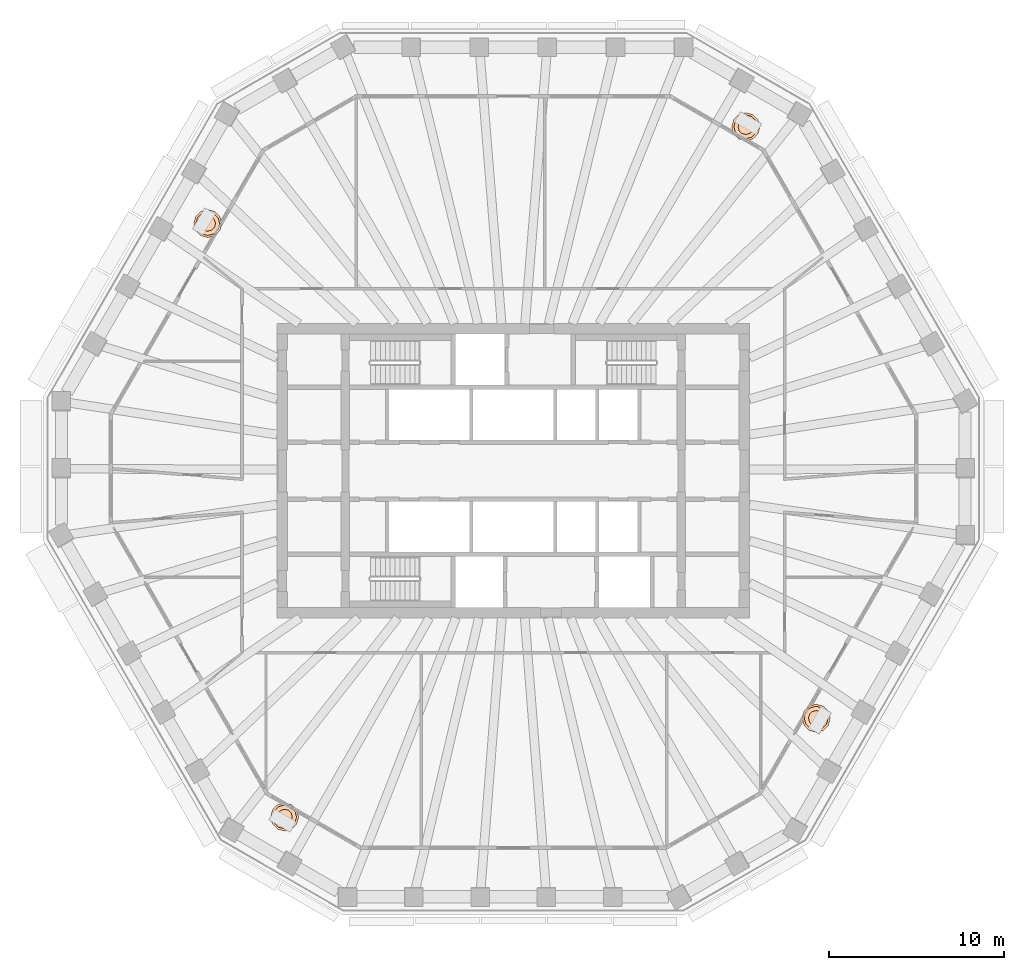
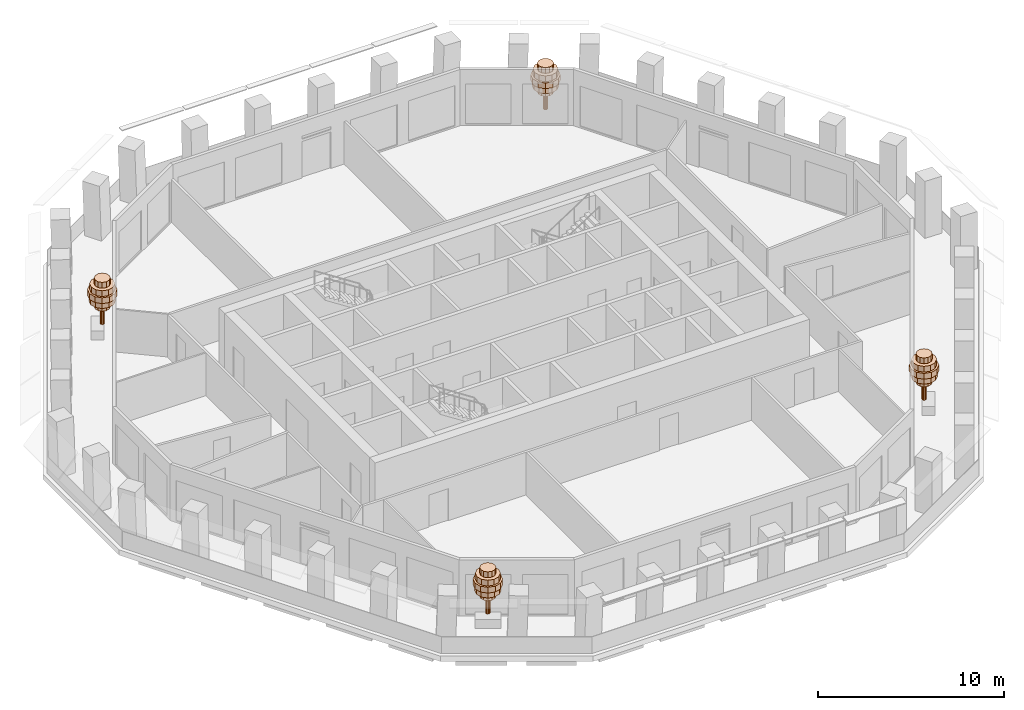
# One storey, part 12 of 12: 4 geographic elements.
"""IFC4 building model written with IfcOpenShell, lengths in metres."""

from ifc_helpers import new_model, si_unit, direction, frame, origin, place, context, subcontext, project, spatial, polyline, outline, extrude, material, type_object, element, save


model = new_model("IFC4")

# Units and contexts
model_context = context("Model", 3, precision=1e-05, world=origin(), true_north=direction((0.0, 1.0)))
body_context = subcontext(model_context, "Body", "Model", "MODEL_VIEW")
ifc_project = project(units=[si_unit("LENGTHUNIT", "METRE"), si_unit("AREAUNIT", "SQUARE_METRE"), si_unit("VOLUMEUNIT", "CUBIC_METRE"), si_unit("PLANEANGLEUNIT", "RADIAN"), si_unit("MASSUNIT", "GRAM", prefix="KILO")], contexts=[model_context])

# Site, building, storey
site_placement = place(None, origin())
site = spatial("IfcSite", under=ifc_project, at=site_placement, CompositionType="ELEMENT")
building_placement = place(site_placement, origin())
building = spatial("IfcBuilding", under=site, at=building_placement, Name="Frailejon Research Tower", CompositionType="ELEMENT")
storey_placement = place(building_placement, frame((0.0, 0.0, 215.39990234375)))
storey = spatial("IfcBuildingStorey", under=building, at=storey_placement, Name="L46", CompositionType="ELEMENT", Elevation=215.39990234375)

# Geographic elements
ifc_material = material(Name="Foliage, green")
geographic_element_type = type_object("IfcGeographicElementType", Name="Frailejon tree, loggia", PredefinedType="USERDEFINED", material=ifc_material)
geographic_element_1_placement = place(storey_placement, frame((13.281005859375, 19.64892578125, 0.60009765625)))
element("IfcGeographicElement", 1, at=geographic_element_1_placement, inside=storey, type_object=geographic_element_type, Name="Tree L46", ObjectType="TREE", PredefinedType="USERDEFINED", context=body_context, shape_type="SweptSolid", body=[
    extrude(outline(polyline([(0.1298828125, 0.0), (0.112548828125, 0.06494140625), (0.06494140625, 0.112548828125), (0.0, 0.1298828125), (-0.06494140625, 0.112548828125), (-0.112548828125, 0.06494140625), (-0.1298828125, 0.0), (-0.112548828125, -0.06494140625), (-0.06494140625, -0.112548828125), (0.0, -0.1298828125), (0.06494140625, -0.112548828125), (0.112548828125, -0.06494140625), (0.1298828125, 0.0)])), origin(), (0.0, 0.0, 1.0), 2.239990234375),
    extrude(outline(polyline([(0.43994140625, 0.0), (0.381103515625, 0.219970703125), (0.219970703125, 0.381103515625), (0.0, 0.43994140625), (-0.219970703125, 0.381103515625), (-0.381103515625, 0.219970703125), (-0.43994140625, 0.0), (-0.381103515625, -0.219970703125), (-0.219970703125, -0.381103515625), (0.0, -0.43994140625), (0.219970703125, -0.381103515625), (0.381103515625, -0.219970703125), (0.43994140625, 0.0)])), frame((0.0, 0.0, 1.10009765625)), (0.0, 0.0, 1.0), 0.3798828125),
    extrude(outline(polyline([(0.719970703125, 0.0), (0.62353515625, 0.360107421875), (0.360107421875, 0.62353515625), (0.0, 0.719970703125), (-0.360107421875, 0.62353515625), (-0.62353515625, 0.360107421875), (-0.719970703125, 0.0), (-0.62353515625, -0.360107421875), (-0.360107421875, -0.62353515625), (0.0, -0.719970703125), (0.360107421875, -0.62353515625), (0.62353515625, -0.360107421875), (0.719970703125, 0.0)])), frame((0.0, 0.0, 1.47998046875)), (0.0, 0.0, 1.0), 0.3798828125),
    extrude(outline(polyline([(0.800048828125, 0.0), (0.69287109375, 0.39990234375), (0.39990234375, 0.69287109375), (0.0, 0.800048828125), (-0.39990234375, 0.69287109375), (-0.69287109375, 0.39990234375), (-0.800048828125, 0.0), (-0.69287109375, -0.39990234375), (-0.39990234375, -0.69287109375), (0.0, -0.800048828125), (0.39990234375, -0.69287109375), (0.69287109375, -0.39990234375), (0.800048828125, 0.0)])), frame((0.0, 0.0, 1.860107421875)), (0.0, 0.0, 1.0), 0.3798828125),
    extrude(outline(polyline([(0.679931640625, 0.0), (0.5888671875, 0.340087890625), (0.340087890625, 0.5888671875), (0.0, 0.679931640625), (-0.340087890625, 0.5888671875), (-0.5888671875, 0.340087890625), (-0.679931640625, 0.0), (-0.5888671875, -0.340087890625), (-0.340087890625, -0.5888671875), (0.0, -0.679931640625), (0.340087890625, -0.5888671875), (0.5888671875, -0.340087890625), (0.679931640625, 0.0)])), frame((0.0, 0.0, 2.239990234375)), (0.0, 0.0, 1.0), 0.3798828125),
    extrude(outline(polyline([(0.43994140625, 0.0), (0.381103515625, 0.219970703125), (0.219970703125, 0.381103515625), (0.0, 0.43994140625), (-0.219970703125, 0.381103515625), (-0.381103515625, 0.219970703125), (-0.43994140625, 0.0), (-0.381103515625, -0.219970703125), (-0.219970703125, -0.381103515625), (0.0, -0.43994140625), (0.219970703125, -0.381103515625), (0.381103515625, -0.219970703125), (0.43994140625, 0.0)])), frame((0.0, 0.0, 2.6201171875)), (0.0, 0.0, 1.0), 0.3798828125),
])
geographic_element_2_placement = place(storey_placement, frame((-17.453369140625, 14.121337890625, 0.60009765625)))
element("IfcGeographicElement", 2, at=geographic_element_2_placement, inside=storey, type_object=geographic_element_type, Name="Tree L46", ObjectType="TREE", PredefinedType="USERDEFINED", context=body_context, shape_type="SweptSolid", body=[
    extrude(outline(polyline([(0.1298828125, 0.0), (0.112548828125, 0.06494140625), (0.06494140625, 0.112548828125), (0.0, 0.1298828125), (-0.06494140625, 0.112548828125), (-0.112548828125, 0.06494140625), (-0.1298828125, 0.0), (-0.112548828125, -0.06494140625), (-0.06494140625, -0.112548828125), (0.0, -0.1298828125), (0.06494140625, -0.112548828125), (0.112548828125, -0.06494140625), (0.1298828125, 0.0)])), origin(), (0.0, 0.0, 1.0), 2.239990234375),
    extrude(outline(polyline([(0.43994140625, 0.0), (0.381103515625, 0.219970703125), (0.219970703125, 0.381103515625), (0.0, 0.43994140625), (-0.219970703125, 0.381103515625), (-0.381103515625, 0.219970703125), (-0.43994140625, 0.0), (-0.381103515625, -0.219970703125), (-0.219970703125, -0.381103515625), (0.0, -0.43994140625), (0.219970703125, -0.381103515625), (0.381103515625, -0.219970703125), (0.43994140625, 0.0)])), frame((0.0, 0.0, 1.10009765625)), (0.0, 0.0, 1.0), 0.3798828125),
    extrude(outline(polyline([(0.719970703125, 0.0), (0.62353515625, 0.360107421875), (0.360107421875, 0.62353515625), (0.0, 0.719970703125), (-0.360107421875, 0.62353515625), (-0.62353515625, 0.360107421875), (-0.719970703125, 0.0), (-0.62353515625, -0.360107421875), (-0.360107421875, -0.62353515625), (0.0, -0.719970703125), (0.360107421875, -0.62353515625), (0.62353515625, -0.360107421875), (0.719970703125, 0.0)])), frame((0.0, 0.0, 1.47998046875)), (0.0, 0.0, 1.0), 0.3798828125),
    extrude(outline(polyline([(0.800048828125, 0.0), (0.69287109375, 0.39990234375), (0.39990234375, 0.69287109375), (0.0, 0.800048828125), (-0.39990234375, 0.69287109375), (-0.69287109375, 0.39990234375), (-0.800048828125, 0.0), (-0.69287109375, -0.39990234375), (-0.39990234375, -0.69287109375), (0.0, -0.800048828125), (0.39990234375, -0.69287109375), (0.69287109375, -0.39990234375), (0.800048828125, 0.0)])), frame((0.0, 0.0, 1.860107421875)), (0.0, 0.0, 1.0), 0.3798828125),
    extrude(outline(polyline([(0.679931640625, 0.0), (0.5888671875, 0.340087890625), (0.340087890625, 0.5888671875), (0.0, 0.679931640625), (-0.340087890625, 0.5888671875), (-0.5888671875, 0.340087890625), (-0.679931640625, 0.0), (-0.5888671875, -0.340087890625), (-0.340087890625, -0.5888671875), (0.0, -0.679931640625), (0.340087890625, -0.5888671875), (0.5888671875, -0.340087890625), (0.679931640625, 0.0)])), frame((0.0, 0.0, 2.239990234375)), (0.0, 0.0, 1.0), 0.3798828125),
    extrude(outline(polyline([(0.43994140625, 0.0), (0.381103515625, 0.219970703125), (0.219970703125, 0.381103515625), (0.0, 0.43994140625), (-0.219970703125, 0.381103515625), (-0.381103515625, 0.219970703125), (-0.43994140625, 0.0), (-0.381103515625, -0.219970703125), (-0.219970703125, -0.381103515625), (0.0, -0.43994140625), (0.219970703125, -0.381103515625), (0.381103515625, -0.219970703125), (0.43994140625, 0.0)])), frame((0.0, 0.0, 2.6201171875)), (0.0, 0.0, 1.0), 0.3798828125),
])
geographic_element_3_placement = place(storey_placement, frame((-13.0634765625, -19.774658203125, 0.60009765625)))
element("IfcGeographicElement", 3, at=geographic_element_3_placement, inside=storey, type_object=geographic_element_type, Name="Tree L46", ObjectType="TREE", PredefinedType="USERDEFINED", context=body_context, shape_type="SweptSolid", body=[
    extrude(outline(polyline([(0.1298828125, 0.0), (0.112548828125, 0.06494140625), (0.06494140625, 0.112548828125), (0.0, 0.1298828125), (-0.06494140625, 0.112548828125), (-0.112548828125, 0.06494140625), (-0.1298828125, 0.0), (-0.112548828125, -0.06494140625), (-0.06494140625, -0.112548828125), (0.0, -0.1298828125), (0.06494140625, -0.112548828125), (0.112548828125, -0.06494140625), (0.1298828125, 0.0)])), origin(), (0.0, 0.0, 1.0), 2.239990234375),
    extrude(outline(polyline([(0.43994140625, 0.0), (0.381103515625, 0.219970703125), (0.219970703125, 0.381103515625), (0.0, 0.43994140625), (-0.219970703125, 0.381103515625), (-0.381103515625, 0.219970703125), (-0.43994140625, 0.0), (-0.381103515625, -0.219970703125), (-0.219970703125, -0.381103515625), (0.0, -0.43994140625), (0.219970703125, -0.381103515625), (0.381103515625, -0.219970703125), (0.43994140625, 0.0)])), frame((0.0, 0.0, 1.10009765625)), (0.0, 0.0, 1.0), 0.3798828125),
    extrude(outline(polyline([(0.719970703125, 0.0), (0.62353515625, 0.360107421875), (0.360107421875, 0.62353515625), (0.0, 0.719970703125), (-0.360107421875, 0.62353515625), (-0.62353515625, 0.360107421875), (-0.719970703125, 0.0), (-0.62353515625, -0.360107421875), (-0.360107421875, -0.62353515625), (0.0, -0.719970703125), (0.360107421875, -0.62353515625), (0.62353515625, -0.360107421875), (0.719970703125, 0.0)])), frame((0.0, 0.0, 1.47998046875)), (0.0, 0.0, 1.0), 0.3798828125),
    extrude(outline(polyline([(0.800048828125, 0.0), (0.69287109375, 0.39990234375), (0.39990234375, 0.69287109375), (0.0, 0.800048828125), (-0.39990234375, 0.69287109375), (-0.69287109375, 0.39990234375), (-0.800048828125, 0.0), (-0.69287109375, -0.39990234375), (-0.39990234375, -0.69287109375), (0.0, -0.800048828125), (0.39990234375, -0.69287109375), (0.69287109375, -0.39990234375), (0.800048828125, 0.0)])), frame((0.0, 0.0, 1.860107421875)), (0.0, 0.0, 1.0), 0.3798828125),
    extrude(outline(polyline([(0.679931640625, 0.0), (0.5888671875, 0.340087890625), (0.340087890625, 0.5888671875), (0.0, 0.679931640625), (-0.340087890625, 0.5888671875), (-0.5888671875, 0.340087890625), (-0.679931640625, 0.0), (-0.5888671875, -0.340087890625), (-0.340087890625, -0.5888671875), (0.0, -0.679931640625), (0.340087890625, -0.5888671875), (0.5888671875, -0.340087890625), (0.679931640625, 0.0)])), frame((0.0, 0.0, 2.239990234375)), (0.0, 0.0, 1.0), 0.3798828125),
    extrude(outline(polyline([(0.43994140625, 0.0), (0.381103515625, 0.219970703125), (0.219970703125, 0.381103515625), (0.0, 0.43994140625), (-0.219970703125, 0.381103515625), (-0.381103515625, 0.219970703125), (-0.43994140625, 0.0), (-0.381103515625, -0.219970703125), (-0.219970703125, -0.381103515625), (0.0, -0.43994140625), (0.219970703125, -0.381103515625), (0.381103515625, -0.219970703125), (0.43994140625, 0.0)])), frame((0.0, 0.0, 2.6201171875)), (0.0, 0.0, 1.0), 0.3798828125),
])
geographic_element_4_placement = place(storey_placement, frame((17.30078125, -14.134033203125, 0.60009765625)))
element("IfcGeographicElement", 4, at=geographic_element_4_placement, inside=storey, type_object=geographic_element_type, Name="Tree L46", ObjectType="TREE", PredefinedType="USERDEFINED", context=body_context, shape_type="SweptSolid", body=[
    extrude(outline(polyline([(0.1298828125, 0.0), (0.112548828125, 0.06494140625), (0.06494140625, 0.112548828125), (0.0, 0.1298828125), (-0.06494140625, 0.112548828125), (-0.112548828125, 0.06494140625), (-0.1298828125, 0.0), (-0.112548828125, -0.06494140625), (-0.06494140625, -0.112548828125), (0.0, -0.1298828125), (0.06494140625, -0.112548828125), (0.112548828125, -0.06494140625), (0.1298828125, 0.0)])), origin(), (0.0, 0.0, 1.0), 2.239990234375),
    extrude(outline(polyline([(0.43994140625, 0.0), (0.381103515625, 0.219970703125), (0.219970703125, 0.381103515625), (0.0, 0.43994140625), (-0.219970703125, 0.381103515625), (-0.381103515625, 0.219970703125), (-0.43994140625, 0.0), (-0.381103515625, -0.219970703125), (-0.219970703125, -0.381103515625), (0.0, -0.43994140625), (0.219970703125, -0.381103515625), (0.381103515625, -0.219970703125), (0.43994140625, 0.0)])), frame((0.0, 0.0, 1.10009765625)), (0.0, 0.0, 1.0), 0.3798828125),
    extrude(outline(polyline([(0.719970703125, 0.0), (0.62353515625, 0.360107421875), (0.360107421875, 0.62353515625), (0.0, 0.719970703125), (-0.360107421875, 0.62353515625), (-0.62353515625, 0.360107421875), (-0.719970703125, 0.0), (-0.62353515625, -0.360107421875), (-0.360107421875, -0.62353515625), (0.0, -0.719970703125), (0.360107421875, -0.62353515625), (0.62353515625, -0.360107421875), (0.719970703125, 0.0)])), frame((0.0, 0.0, 1.47998046875)), (0.0, 0.0, 1.0), 0.3798828125),
    extrude(outline(polyline([(0.800048828125, 0.0), (0.69287109375, 0.39990234375), (0.39990234375, 0.69287109375), (0.0, 0.800048828125), (-0.39990234375, 0.69287109375), (-0.69287109375, 0.39990234375), (-0.800048828125, 0.0), (-0.69287109375, -0.39990234375), (-0.39990234375, -0.69287109375), (0.0, -0.800048828125), (0.39990234375, -0.69287109375), (0.69287109375, -0.39990234375), (0.800048828125, 0.0)])), frame((0.0, 0.0, 1.860107421875)), (0.0, 0.0, 1.0), 0.3798828125),
    extrude(outline(polyline([(0.679931640625, 0.0), (0.5888671875, 0.340087890625), (0.340087890625, 0.5888671875), (0.0, 0.679931640625), (-0.340087890625, 0.5888671875), (-0.5888671875, 0.340087890625), (-0.679931640625, 0.0), (-0.5888671875, -0.340087890625), (-0.340087890625, -0.5888671875), (0.0, -0.679931640625), (0.340087890625, -0.5888671875), (0.5888671875, -0.340087890625), (0.679931640625, 0.0)])), frame((0.0, 0.0, 2.239990234375)), (0.0, 0.0, 1.0), 0.3798828125),
    extrude(outline(polyline([(0.43994140625, 0.0), (0.381103515625, 0.219970703125), (0.219970703125, 0.381103515625), (0.0, 0.43994140625), (-0.219970703125, 0.381103515625), (-0.381103515625, 0.219970703125), (-0.43994140625, 0.0), (-0.381103515625, -0.219970703125), (-0.219970703125, -0.381103515625), (0.0, -0.43994140625), (0.219970703125, -0.381103515625), (0.381103515625, -0.219970703125), (0.43994140625, 0.0)])), frame((0.0, 0.0, 2.6201171875)), (0.0, 0.0, 1.0), 0.3798828125),
])

save(model, "model.ifc")
